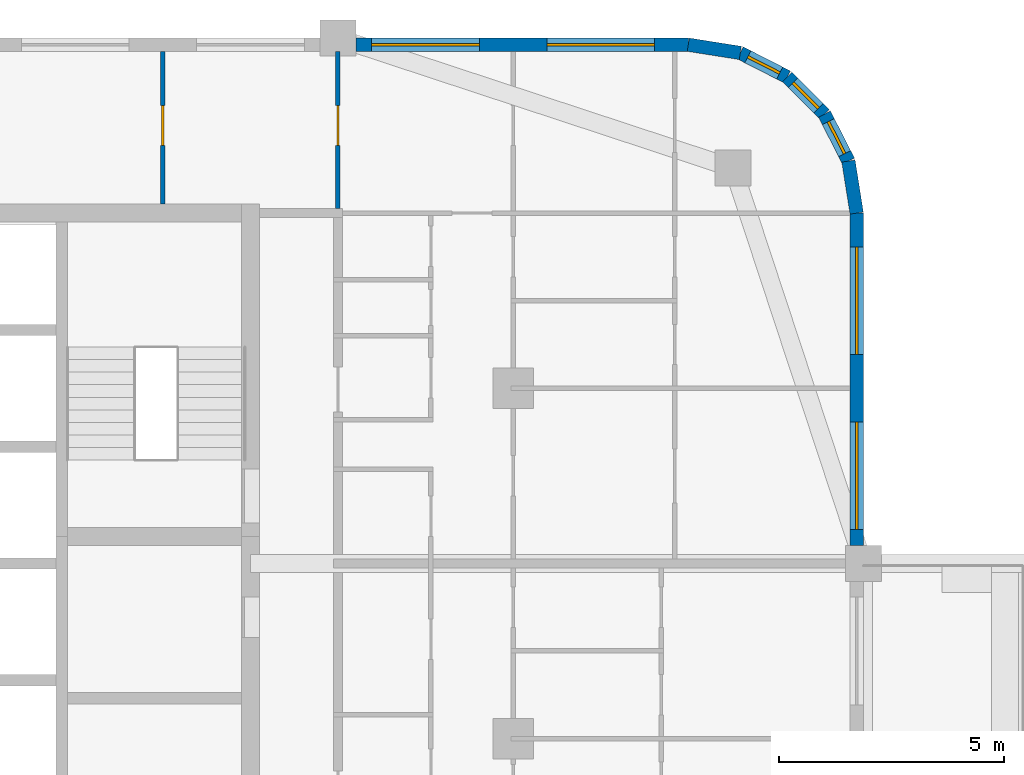
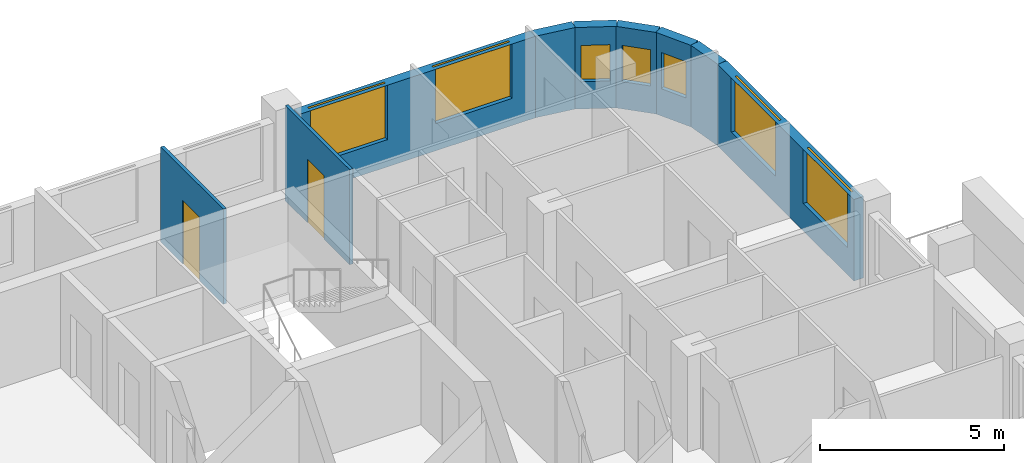
# One storey, part 12 of 16: 9 walls, 7 windows, 2 doors, 9 openings.
"""IFC4 building model written with IfcOpenShell, lengths in metres."""

from ifc_helpers import new_model, si_unit, direction, frame, frame_2d, origin, place, context, subcontext, project, spatial, rectangle, extrude, material, layer, layer_set, type_object, element, fill, save


model = new_model("IFC4")

# Units and contexts
model_context = context("Model", 3, precision=1e-05, world=origin(), true_north=direction((0.0, 1.0)))
body_context = subcontext(model_context, "Body", "Model", "MODEL_VIEW")
ifc_project = project(units=[si_unit("LENGTHUNIT", "METRE"), si_unit("AREAUNIT", "SQUARE_METRE"), si_unit("VOLUMEUNIT", "CUBIC_METRE"), si_unit("PLANEANGLEUNIT", "RADIAN"), si_unit("MASSUNIT", "GRAM", prefix="KILO")], contexts=[model_context])

# Site, building, storey
site_placement = place(None, origin())
site = spatial("IfcSite", under=ifc_project, at=site_placement, CompositionType="ELEMENT")
building_placement = place(site_placement, origin())
building = spatial("IfcBuilding", under=site, at=building_placement, Name="Ludao Terraces", CompositionType="ELEMENT")
storey_placement = place(building_placement, frame((0.0, 0.0, 214.300048828125)))
storey = spatial("IfcBuildingStorey", under=building, at=storey_placement, Name="L58", CompositionType="ELEMENT", Elevation=214.300048828125)

# Wall, openings, windows
ifc_material_1 = material(Name="Granite cladding", Category="masonry")
ifc_layer_1 = layer(ifc_material_1, 0.0400390625, Category="stone")
ifc_material_2 = material(Name="Mineral wool")
ifc_layer_2 = layer(ifc_material_2, 0.06005859375)
ifc_material_3 = material(Name="Concrete C40", Category="concrete")
ifc_layer_3 = layer(ifc_material_3, 0.199951171875, Category="concrete")
ifc_layer_set_1 = layer_set([ifc_layer_1, ifc_layer_2, ifc_layer_3], Name="ENV Stone-clad wall 300")
wall_type_1 = type_object("IfcWallType", Name="ENV Stone-clad wall 300", PredefinedType="SOLIDWALL", material=ifc_layer_set_1)
wall_1_placement = place(storey_placement, frame((108.25, 77.10009765625, 0.0), z_axis=(0.0, 0.0, 1.0), x_axis=(0.0, 1.0, 0.0)))
wall_1 = element("IfcWall", 1, at=wall_1_placement, inside=storey, type_object=wall_type_1, Name="EW-L58-E5", PredefinedType="SOLIDWALL", context=body_context, shape_type="SweptSolid", body=[
    extrude(rectangle(XDim=7.39990234375, YDim=0.300048828125, at=frame_2d((3.699951171875, 0.0))), origin(), (0.0, 0.0, 1.0), 2.699951171875),
])
opening_1_placement = place(wall_1_placement, frame((0.35009765625, 0.0, 0.89990234375)))
opening_1 = element("IfcOpeningElement", 2, at=opening_1_placement, cuts=wall_1, Name="Opening W1", PredefinedType="OPENING", context=body_context, shape_type="SweptSolid", body=[
    extrude(rectangle(XDim=2.39990234375, YDim=1.800048828125, at=frame_2d((1.199951171875, 0.89990234375))), frame((0.0, 0.16015625, 0.0), z_axis=(0.0, -1.0, 0.0), x_axis=(1.0, 0.0, 0.0)), (0.0, 0.0, 1.0), 0.320068359375),
])
opening_2_placement = place(wall_1_placement, frame((4.25, 0.0, 0.89990234375)))
opening_2 = element("IfcOpeningElement", 3, at=opening_2_placement, cuts=wall_1, Name="Opening W1", PredefinedType="OPENING", context=body_context, shape_type="SweptSolid", body=[
    extrude(rectangle(XDim=2.39990234375, YDim=1.800048828125, at=frame_2d((1.199951171875, 0.89990234375))), frame((0.0, 0.16015625, 0.0), z_axis=(0.0, -1.0, 0.0), x_axis=(1.0, 0.0, 0.0)), (0.0, 0.0, 1.0), 0.320068359375),
])
ifc_material_4 = material(Name="Clear glass in aluminium frame", Category="aluminium")
ifc_layer_4 = layer(ifc_material_4, 0.06005859375)
ifc_layer_set_2 = layer_set([ifc_layer_4], Name="ENV Window W1 2400x1800")
window_type_1 = type_object("IfcWindowType", Name="ENV Window W1 2400x1800", PartitioningType="DOUBLE_PANEL_VERTICAL", PredefinedType="WINDOW", material=ifc_layer_set_2)
window_1_placement = place(opening_1_placement, origin())
window_1 = element("IfcWindow", 4, at=window_1_placement, inside=storey, type_object=window_type_1, Name="W-L58-E5-1", OverallHeight=1.800048828125, OverallWidth=2.39990234375, PartitioningType="DOUBLE_PANEL_VERTICAL", PredefinedType="WINDOW", context=body_context, shape_type="SweptSolid", body=[
    extrude(rectangle(XDim=2.39990234375, YDim=1.800048828125, at=frame_2d((1.199951171875, 0.89990234375))), frame((0.0, 0.030029296875, 0.0), z_axis=(0.0, -1.0, 0.0), x_axis=(1.0, 0.0, 0.0)), (0.0, 0.0, 1.0), 0.06005859375),
])
fill(opening_1, window_1)
window_2_placement = place(opening_2_placement, origin())
window_2 = element("IfcWindow", 5, at=window_2_placement, inside=storey, type_object=window_type_1, Name="W-L58-E5-2", OverallHeight=1.800048828125, OverallWidth=2.39990234375, PartitioningType="DOUBLE_PANEL_VERTICAL", PredefinedType="WINDOW", context=body_context, shape_type="SweptSolid", body=[
    extrude(rectangle(XDim=2.39990234375, YDim=1.800048828125, at=frame_2d((1.199951171875, 0.89990234375))), frame((0.0, 0.030029296875, 0.0), z_axis=(0.0, -1.0, 0.0), x_axis=(1.0, 0.0, 0.0)), (0.0, 0.0, 1.0), 0.06005859375),
])
fill(opening_2, window_2)

wall_2_placement = place(storey_placement, frame((97.10009765625, 88.25, 0.0), z_axis=(0.0, 0.0, 1.0), x_axis=(1.0, 0.0, 0.0)))
wall_2 = element("IfcWall", 6, at=wall_2_placement, inside=storey, type_object=wall_type_1, Name="EW-L58-N3", PredefinedType="SOLIDWALL", context=body_context, shape_type="SweptSolid", body=[
    extrude(rectangle(XDim=7.39990234375, YDim=0.300048828125, at=frame_2d((3.699951171875, 0.0))), origin(), (0.0, 0.0, 1.0), 2.699951171875),
])
opening_3_placement = place(wall_2_placement, frame((0.35009765625, 0.0, 0.89990234375)))
opening_3 = element("IfcOpeningElement", 7, at=opening_3_placement, cuts=wall_2, Name="Opening W1", PredefinedType="OPENING", context=body_context, shape_type="SweptSolid", body=[
    extrude(rectangle(XDim=2.39990234375, YDim=1.800048828125, at=frame_2d((1.199951171875, 0.89990234375))), frame((0.0, 0.16015625, 0.0), z_axis=(0.0, -1.0, 0.0), x_axis=(1.0, 0.0, 0.0)), (0.0, 0.0, 1.0), 0.320068359375),
])
opening_4_placement = place(wall_2_placement, frame((4.25, 0.0, 0.89990234375)))
opening_4 = element("IfcOpeningElement", 8, at=opening_4_placement, cuts=wall_2, Name="Opening W1", PredefinedType="OPENING", context=body_context, shape_type="SweptSolid", body=[
    extrude(rectangle(XDim=2.39990234375, YDim=1.800048828125, at=frame_2d((1.199951171875, 0.89990234375))), frame((0.0, 0.16015625, 0.0), z_axis=(0.0, -1.0, 0.0), x_axis=(1.0, 0.0, 0.0)), (0.0, 0.0, 1.0), 0.320068359375),
])
window_3_placement = place(opening_3_placement, origin())
window_3 = element("IfcWindow", 9, at=window_3_placement, inside=storey, type_object=window_type_1, Name="W-L58-N3-1", OverallHeight=1.800048828125, OverallWidth=2.39990234375, PartitioningType="DOUBLE_PANEL_VERTICAL", PredefinedType="WINDOW", context=body_context, shape_type="SweptSolid", body=[
    extrude(rectangle(XDim=2.39990234375, YDim=1.800048828125, at=frame_2d((1.199951171875, 0.89990234375))), frame((0.0, 0.030029296875, 0.0), z_axis=(0.0, -1.0, 0.0), x_axis=(1.0, 0.0, 0.0)), (0.0, 0.0, 1.0), 0.06005859375),
])
fill(opening_3, window_3)
window_4_placement = place(opening_4_placement, origin())
window_4 = element("IfcWindow", 10, at=window_4_placement, inside=storey, type_object=window_type_1, Name="W-L58-N3-2", OverallHeight=1.800048828125, OverallWidth=2.39990234375, PartitioningType="DOUBLE_PANEL_VERTICAL", PredefinedType="WINDOW", context=body_context, shape_type="SweptSolid", body=[
    extrude(rectangle(XDim=2.39990234375, YDim=1.800048828125, at=frame_2d((1.199951171875, 0.89990234375))), frame((0.0, 0.030029296875, 0.0), z_axis=(0.0, -1.0, 0.0), x_axis=(1.0, 0.0, 0.0)), (0.0, 0.0, 1.0), 0.06005859375),
])
fill(opening_4, window_4)

# Wall
wall_3_placement = place(storey_placement, frame((108.25, 84.5, 0.0), z_axis=(0.0, 0.0, 1.0), x_axis=(-0.156496880861, 0.987678452879, 0.0)))
element("IfcWall", 11, at=wall_3_placement, inside=storey, type_object=wall_type_1, Name="EW-L58-NE1", PredefinedType="SOLIDWALL", context=body_context, shape_type="SweptSolid", body=[
    extrude(rectangle(XDim=1.173095703125, YDim=0.300048828125, at=frame_2d((0.58642578125, 0.0))), origin(), (0.0, 0.0, 1.0), 2.699951171875),
])

# Wall, opening, window
wall_4_placement = place(storey_placement, frame((108.06640625, 85.65869140625, 0.0), z_axis=(0.0, 0.0, 1.0), x_axis=(-0.454025524128, 0.890988677504, 0.0)))
wall_4 = element("IfcWall", 12, at=wall_4_placement, inside=storey, type_object=wall_type_1, Name="EW-L58-NE2", PredefinedType="SOLIDWALL", context=body_context, shape_type="SweptSolid", body=[
    extrude(rectangle(XDim=1.17333984375, YDim=0.300048828125, at=frame_2d((0.586669921875, 0.0))), origin(), (0.0, 0.0, 1.0), 2.699951171875),
])
opening_5_placement = place(wall_4_placement, frame((0.1865234375, 0.0, 0.89990234375)))
opening_5 = element("IfcOpeningElement", 13, at=opening_5_placement, cuts=wall_4, Name="Opening W3", PredefinedType="OPENING", context=body_context, shape_type="SweptSolid", body=[
    extrude(rectangle(XDim=0.800048828125, YDim=1.199951171875, at=frame_2d((0.39990234375, 0.60009765625))), frame((0.0, 0.16015625, 0.0), z_axis=(0.0, -1.0, 0.0), x_axis=(1.0, 0.0, 0.0)), (0.0, 0.0, 1.0), 0.320068359375),
])
ifc_layer_5 = layer(ifc_material_4, 0.06005859375)
ifc_layer_set_3 = layer_set([ifc_layer_5], Name="ENV Window W3 800x1200")
window_type_2 = type_object("IfcWindowType", Name="ENV Window W3 800x1200", PartitioningType="SINGLE_PANEL", PredefinedType="WINDOW", material=ifc_layer_set_3)
window_5_placement = place(opening_5_placement, origin())
window_5 = element("IfcWindow", 14, at=window_5_placement, inside=storey, type_object=window_type_2, Name="W-L58-NE2", OverallHeight=1.199951171875, OverallWidth=0.800048828125, PartitioningType="SINGLE_PANEL", PredefinedType="WINDOW", context=body_context, shape_type="SweptSolid", body=[
    extrude(rectangle(XDim=0.800048828125, YDim=1.199951171875, at=frame_2d((0.39990234375, 0.60009765625))), frame((0.0, 0.030029296875, 0.0), z_axis=(0.0, -1.0, 0.0), x_axis=(1.0, 0.0, 0.0)), (0.0, 0.0, 1.0), 0.06005859375),
])
fill(opening_5, window_5)

wall_5_placement = place(storey_placement, frame((107.53369140625, 86.7041015625, 0.0), z_axis=(0.0, 0.0, 1.0), x_axis=(-0.707106781187, 0.707106781187, 0.0)))
wall_5 = element("IfcWall", 15, at=wall_5_placement, inside=storey, type_object=wall_type_1, Name="EW-L58-NE3", PredefinedType="SOLIDWALL", context=body_context, shape_type="SweptSolid", body=[
    extrude(rectangle(XDim=1.173095703125, YDim=0.300048828125, at=frame_2d((0.58642578125, 0.0))), origin(), (0.0, 0.0, 1.0), 2.699951171875),
])
opening_6_placement = place(wall_5_placement, frame((0.1865234375, 0.0, 0.89990234375)))
opening_6 = element("IfcOpeningElement", 16, at=opening_6_placement, cuts=wall_5, Name="Opening W3", PredefinedType="OPENING", context=body_context, shape_type="SweptSolid", body=[
    extrude(rectangle(XDim=0.800048828125, YDim=1.199951171875, at=frame_2d((0.39990234375, 0.60009765625))), frame((0.0, 0.16015625, 0.0), z_axis=(0.0, -1.0, 0.0), x_axis=(1.0, 0.0, 0.0)), (0.0, 0.0, 1.0), 0.320068359375),
])
window_6_placement = place(opening_6_placement, origin())
window_6 = element("IfcWindow", 17, at=window_6_placement, inside=storey, type_object=window_type_2, Name="W-L58-NE3", OverallHeight=1.199951171875, OverallWidth=0.800048828125, PartitioningType="SINGLE_PANEL", PredefinedType="WINDOW", context=body_context, shape_type="SweptSolid", body=[
    extrude(rectangle(XDim=0.800048828125, YDim=1.199951171875, at=frame_2d((0.39990234375, 0.60009765625))), frame((0.0, 0.030029296875, 0.0), z_axis=(0.0, -1.0, 0.0), x_axis=(1.0, 0.0, 0.0)), (0.0, 0.0, 1.0), 0.06005859375),
])
fill(opening_6, window_6)

wall_6_placement = place(storey_placement, frame((106.7041015625, 87.53369140625, 0.0), z_axis=(0.0, 0.0, 1.0), x_axis=(-0.890988677504, 0.454025524128, 0.0)))
wall_6 = element("IfcWall", 18, at=wall_6_placement, inside=storey, type_object=wall_type_1, Name="EW-L58-NE4", PredefinedType="SOLIDWALL", context=body_context, shape_type="SweptSolid", body=[
    extrude(rectangle(XDim=1.17333984375, YDim=0.300048828125, at=frame_2d((0.586669921875, 0.0))), origin(), (0.0, 0.0, 1.0), 2.699951171875),
])
opening_7_placement = place(wall_6_placement, frame((0.1865234375, 0.0, 0.89990234375)))
opening_7 = element("IfcOpeningElement", 19, at=opening_7_placement, cuts=wall_6, Name="Opening W3", PredefinedType="OPENING", context=body_context, shape_type="SweptSolid", body=[
    extrude(rectangle(XDim=0.800048828125, YDim=1.199951171875, at=frame_2d((0.39990234375, 0.60009765625))), frame((0.0, 0.16015625, 0.0), z_axis=(0.0, -1.0, 0.0), x_axis=(1.0, 0.0, 0.0)), (0.0, 0.0, 1.0), 0.320068359375),
])
window_7_placement = place(opening_7_placement, origin())
window_7 = element("IfcWindow", 20, at=window_7_placement, inside=storey, type_object=window_type_2, Name="W-L58-NE4", OverallHeight=1.199951171875, OverallWidth=0.800048828125, PartitioningType="SINGLE_PANEL", PredefinedType="WINDOW", context=body_context, shape_type="SweptSolid", body=[
    extrude(rectangle(XDim=0.800048828125, YDim=1.199951171875, at=frame_2d((0.39990234375, 0.60009765625))), frame((0.0, 0.030029296875, 0.0), z_axis=(0.0, -1.0, 0.0), x_axis=(1.0, 0.0, 0.0)), (0.0, 0.0, 1.0), 0.06005859375),
])
fill(opening_7, window_7)

# Wall
wall_7_placement = place(storey_placement, frame((105.65869140625, 88.06640625, 0.0), z_axis=(0.0, 0.0, 1.0), x_axis=(-0.987678452879, 0.156496880861, 0.0)))
element("IfcWall", 21, at=wall_7_placement, inside=storey, type_object=wall_type_1, Name="EW-L58-NE5", PredefinedType="SOLIDWALL", context=body_context, shape_type="SweptSolid", body=[
    extrude(rectangle(XDim=1.173095703125, YDim=0.300048828125, at=frame_2d((0.58642578125, 0.0))), origin(), (0.0, 0.0, 1.0), 2.699951171875),
])

# Wall, opening, door
ifc_material_5 = material(Name="Gypsum plasterboard", Category="gypsum")
ifc_layer_6 = layer(ifc_material_5, 0.012451171875, Category="gypsum")
ifc_layer_7 = layer(ifc_material_2, 0.06005859375, Name="insulation")
ifc_material_6 = material(Name="Steel Q235", Category="steel")
ifc_layer_8 = layer(ifc_material_6, 0.014892578125, Name="stud")
ifc_layer_9 = layer(ifc_material_5, 0.012451171875, Category="gypsum")
ifc_layer_set_4 = layer_set([ifc_layer_6, ifc_layer_7, ifc_layer_8, ifc_layer_9], Name="INT Partition 100")
wall_type_2 = type_object("IfcWallType", Name="INT Partition 100", PredefinedType="PARTITIONING", material=ifc_layer_set_4)
wall_8_placement = place(storey_placement, frame((92.800048828125, 84.7001953125, 0.0), z_axis=(0.0, 0.0, 1.0), x_axis=(0.0, 1.0, 0.0)))
wall_8 = element("IfcWall", 22, at=wall_8_placement, inside=storey, type_object=wall_type_2, Name="PW-L58-PW088", PredefinedType="PARTITIONING", context=body_context, shape_type="SweptSolid", body=[
    extrude(rectangle(XDim=3.39990234375, YDim=0.10009765625, at=frame_2d((1.699951171875, 0.0))), origin(), (0.0, 0.0, 1.0), 3.14990234375),
])
opening_8_placement = place(wall_8_placement, frame((1.2998046875, 0.0, 0.0)))
opening_8 = element("IfcOpeningElement", 23, at=opening_8_placement, cuts=wall_8, Name="Opening R21-141", PredefinedType="OPENING", context=body_context, shape_type="SweptSolid", body=[
    extrude(rectangle(XDim=0.89990234375, YDim=2.10009765625, at=frame_2d((0.449951171875, 1.050048828125))), frame((0.0, 0.06005859375, 0.0), z_axis=(0.0, -1.0, 0.0), x_axis=(1.0, 0.0, 0.0)), (0.0, 0.0, 1.0), 0.1201171875),
])
ifc_material_7 = material(Name="Timber door leaf", Category="wood")
door_type = type_object("IfcDoorType", Name="INT Room door 900", OperationType="SINGLE_SWING_LEFT", PredefinedType="DOOR", material=ifc_material_7)
door_1_placement = place(opening_8_placement, origin())
door_1 = element("IfcDoor", 24, at=door_1_placement, inside=storey, type_object=door_type, Name="DOOR 141", OperationType="SINGLE_SWING_RIGHT", OverallHeight=2.10009765625, OverallWidth=0.89990234375, PredefinedType="DOOR", context=body_context, shape_type="SweptSolid", body=[
    extrude(rectangle(XDim=0.89990234375, YDim=2.10009765625, at=frame_2d((0.449951171875, 1.050048828125))), frame((0.0, 0.02490234375, 0.0), z_axis=(0.0, -1.0, 0.0), x_axis=(1.0, 0.0, 0.0)), (0.0, 0.0, 1.0), 0.050048828125),
])
fill(opening_8, door_1)

wall_9_placement = place(storey_placement, frame((96.699951171875, 84.60009765625, 0.0), z_axis=(0.0, 0.0, 1.0), x_axis=(0.0, 1.0, 0.0)))
wall_9 = element("IfcWall", 25, at=wall_9_placement, inside=storey, type_object=wall_type_2, Name="PW-L58-PW091", PredefinedType="PARTITIONING", context=body_context, shape_type="SweptSolid", body=[
    extrude(rectangle(XDim=3.5, YDim=0.10009765625, at=frame_2d((1.75, 0.0))), origin(), (0.0, 0.0, 1.0), 3.14990234375),
])
opening_9_placement = place(wall_9_placement, frame((1.39990234375, 0.0, 0.0)))
opening_9 = element("IfcOpeningElement", 26, at=opening_9_placement, cuts=wall_9, Name="Opening R21-142", PredefinedType="OPENING", context=body_context, shape_type="SweptSolid", body=[
    extrude(rectangle(XDim=0.89990234375, YDim=2.10009765625, at=frame_2d((0.449951171875, 1.050048828125))), frame((0.0, 0.06005859375, 0.0), z_axis=(0.0, -1.0, 0.0), x_axis=(1.0, 0.0, 0.0)), (0.0, 0.0, 1.0), 0.1201171875),
])
door_2_placement = place(opening_9_placement, origin())
door_2 = element("IfcDoor", 27, at=door_2_placement, inside=storey, type_object=door_type, Name="DOOR 142", OperationType="SINGLE_SWING_RIGHT", OverallHeight=2.10009765625, OverallWidth=0.89990234375, PredefinedType="DOOR", context=body_context, shape_type="SweptSolid", body=[
    extrude(rectangle(XDim=0.89990234375, YDim=2.10009765625, at=frame_2d((0.449951171875, 1.050048828125))), frame((0.0, 0.02490234375, 0.0), z_axis=(0.0, -1.0, 0.0), x_axis=(1.0, 0.0, 0.0)), (0.0, 0.0, 1.0), 0.050048828125),
])
fill(opening_9, door_2)

save(model, "model.ifc")
